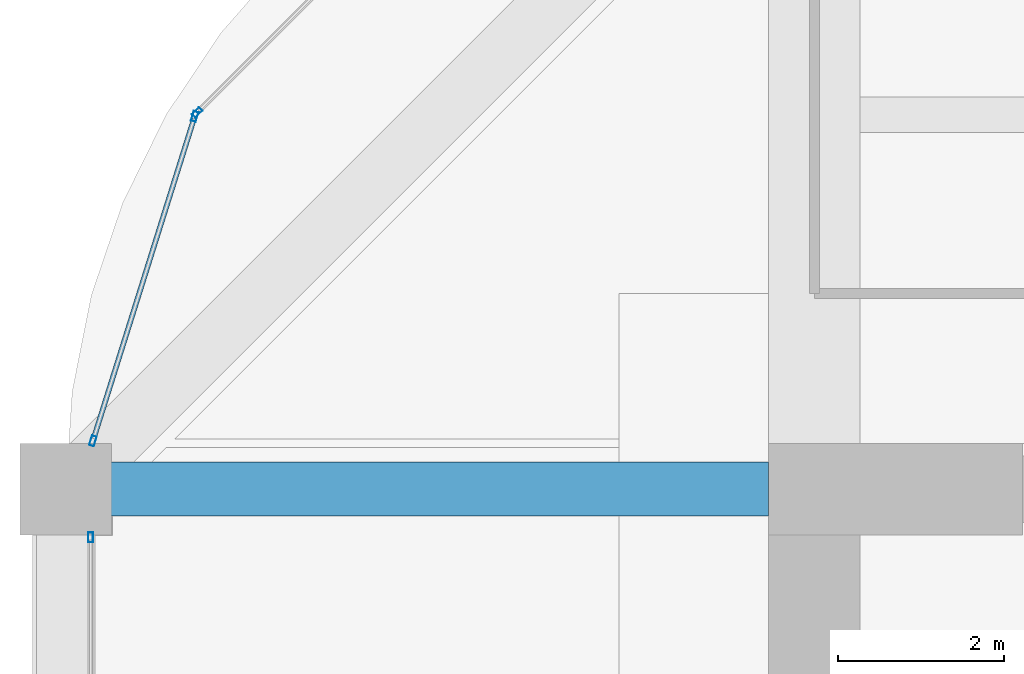
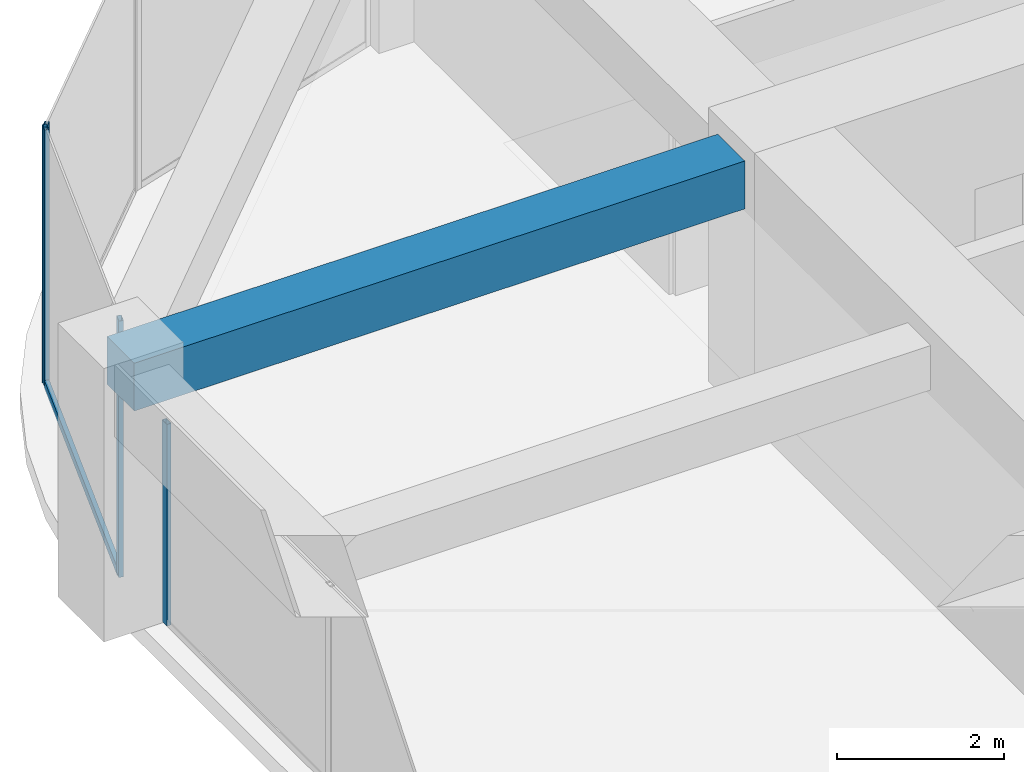
# One storey, part 28 of 44: 5 members, 1 beam, 3 elements without a shape of their own.
"""IFC4 building model written with IfcOpenShell, lengths in metres."""

from ifc_helpers import new_model, si_unit, direction, frame, origin, origin_2d, place, context, subcontext, project, spatial, rectangle, hollow_rectangle, extrude, material, material_profile, profile_set, type_object, element, aggregate, save


model = new_model("IFC4")

# Units and contexts
model_context = context("Model", 3, precision=1e-05, world=origin(), true_north=direction((0.0, 1.0)))
body_context = subcontext(model_context, "Body", "Model", "MODEL_VIEW")
ifc_project = project(units=[si_unit("LENGTHUNIT", "METRE"), si_unit("AREAUNIT", "SQUARE_METRE"), si_unit("VOLUMEUNIT", "CUBIC_METRE"), si_unit("PLANEANGLEUNIT", "RADIAN"), si_unit("MASSUNIT", "GRAM", prefix="KILO")], contexts=[model_context])

# Site, building, storey
site_placement = place(None, origin())
site = spatial("IfcSite", under=ifc_project, at=site_placement, CompositionType="ELEMENT")
building_placement = place(site_placement, origin())
building = spatial("IfcBuilding", under=site, at=building_placement, Name="Zorevar Civic Tower", CompositionType="ELEMENT")
storey_placement = place(building_placement, frame((0.0, 0.0, 255.39990234375)))
storey = spatial("IfcBuildingStorey", under=building, at=storey_placement, Name="L62", CompositionType="ELEMENT", Elevation=255.39990234375)

# Beam
ifc_material_1 = material(Name="Concrete C50/60", Category="concrete")
ifc_material_profile_1 = material_profile(ifc_material_1, rectangle(XDim=0.64990234375, YDim=0.699951171875, at=origin_2d()), Name="RC 650x700")
ifc_profile_set_1 = profile_set([ifc_material_profile_1], Name="Concrete C50/60")
beam_type = type_object("IfcBeamType", Name="Beam RC 650x700", PredefinedType="BEAM", material=ifc_profile_set_1)
beam_placement = place(storey_placement, frame((9.0, 36.0, 3.400146484375), z_axis=(1.0, 0.0, 0.0), x_axis=(0.0, 1.0, 0.0)))
element("IfcBeam", 1, at=beam_placement, inside=storey, type_object=beam_type, Name="Girder L63", PredefinedType="BEAM", context=body_context, shape_type="SweptSolid", body=[
    extrude(rectangle(XDim=0.64990234375, YDim=0.699951171875, at=origin_2d()), origin(), (0.0, 0.0, 1.0), 8.449951171875),
])

# Curtain wall, member
ifc_material_2 = material(Name="Dark grey solar-control glass in black aluminium frame", Category="aluminium")
curtain_wall_type = type_object("IfcCurtainWallType", Name="Curtain wall CW5 top zone", PredefinedType="NOTDEFINED", material=ifc_material_2)
curtain_wall_1_placement = place(storey_placement, origin())
curtain_wall_1 = element("IfcCurtainWall", 2, at=curtain_wall_1_placement, inside=storey, type_object=curtain_wall_type, Name="CW5 L62", PredefinedType="NOTDEFINED")
ifc_material_3 = material(Name="Aluminium, black anodised", Category="aluminium")
ifc_material_profile_2 = material_profile(ifc_material_3, hollow_rectangle(XDim=0.06005859375, YDim=0.1201171875, WallThickness=0.0029296875, at=origin_2d()), Name="AL 120x60x3")
ifc_profile_set_2 = profile_set([ifc_material_profile_2], Name="Aluminium, black anodised")
member_type_1 = type_object("IfcMemberType", Name="CW5 mullion AL 120x60x3", PredefinedType="MULLION", material=ifc_profile_set_2)
member_1_placement = place(storey_placement, frame((9.300048828125, 35.419921875, 0.0), z_axis=(0.0, 0.0, 1.0), x_axis=(-1.0, 0.0, 0.0)))
member_1 = element("IfcMember", 3, at=member_1_placement, type_object=member_type_1, Name="CW5 mullion 3", PredefinedType="MULLION", context=body_context, shape_type="SweptSolid", body=[
    extrude(hollow_rectangle(XDim=0.06005859375, YDim=0.1201171875, WallThickness=0.0029296875, at=origin_2d()), origin(), (0.0, 0.0, 1.0), 2.9501953125),
])
aggregate(curtain_wall_1, [member_1])

curtain_wall_2_placement = place(storey_placement, origin())
curtain_wall_2 = element("IfcCurtainWall", 4, at=curtain_wall_2_placement, inside=storey, type_object=curtain_wall_type, Name="CW5 L62", PredefinedType="NOTDEFINED")
member_2_placement = place(storey_placement, frame((10.580322265625, 40.529052734375, 0.0), z_axis=(0.0, 0.0, 1.0), x_axis=(0.707106781187, -0.707106781187, 0.0)))
member_2 = element("IfcMember", 5, at=member_2_placement, type_object=member_type_1, Name="CW5 mullion 2", PredefinedType="MULLION", context=body_context, shape_type="SweptSolid", body=[
    extrude(hollow_rectangle(XDim=0.06005859375, YDim=0.1201171875, WallThickness=0.0029296875, at=origin_2d()), origin(), (0.0, 0.0, 1.0), 3.75),
])
aggregate(curtain_wall_2, [member_2])

# Curtain wall, members
curtain_wall_3_placement = place(storey_placement, origin())
curtain_wall_3 = element("IfcCurtainWall", 6, at=curtain_wall_3_placement, inside=storey, type_object=curtain_wall_type, Name="CW5 L62", PredefinedType="NOTDEFINED")
member_3_placement = place(storey_placement, frame((10.550048828125, 40.479248046875, 0.0), z_axis=(0.0, 0.0, 1.0), x_axis=(0.954153437674, -0.299317920238, 0.0)))
member_3 = element("IfcMember", 7, at=member_3_placement, type_object=member_type_1, Name="CW5 mullion 1", PredefinedType="MULLION", context=body_context, shape_type="SweptSolid", body=[
    extrude(hollow_rectangle(XDim=0.06005859375, YDim=0.1201171875, WallThickness=0.0029296875, at=origin_2d()), origin(), (0.0, 0.0, 1.0), 3.75),
])
member_4_placement = place(storey_placement, frame((9.326416015625, 36.57861328125, 0.0), z_axis=(0.0, 0.0, 1.0), x_axis=(0.954153437674, -0.299317920238, 0.0)))
member_4 = element("IfcMember", 8, at=member_4_placement, type_object=member_type_1, Name="CW5 mullion 2", PredefinedType="MULLION", context=body_context, shape_type="SweptSolid", body=[
    extrude(hollow_rectangle(XDim=0.06005859375, YDim=0.1201171875, WallThickness=0.0029296875, at=origin_2d()), origin(), (0.0, 0.0, 1.0), 3.75),
])
ifc_material_4 = material(Name="Aluminium, black anodised", Category="aluminium")
ifc_material_profile_3 = material_profile(ifc_material_4, hollow_rectangle(XDim=0.06005859375, YDim=0.1201171875, WallThickness=0.0029296875, at=origin_2d()), Name="AL 120x60x3")
ifc_profile_set_3 = profile_set([ifc_material_profile_3], Name="Aluminium, black anodised")
member_type_2 = type_object("IfcMemberType", Name="CW5 transom AL 120x60x3", PredefinedType="USERDEFINED", material=ifc_profile_set_3)
member_5_placement = place(storey_placement, frame((10.541015625, 40.45068359375, 0.030029296875), z_axis=(-0.299285978047, -0.954163457351, 0.0), x_axis=(0.954163457351, -0.299285978047, 0.0)))
member_5 = element("IfcMember", 9, at=member_5_placement, type_object=member_type_2, Name="CW5 sill transom", ObjectType="TRANSOM", PredefinedType="USERDEFINED", context=body_context, shape_type="SweptSolid", body=[
    extrude(hollow_rectangle(XDim=0.06005859375, YDim=0.1201171875, WallThickness=0.0029296875, at=origin_2d()), origin(), (0.0, 0.0, 1.0), 4.028076171875),
])
aggregate(curtain_wall_3, [member_3, member_4, member_5])

save(model, "model.ifc")
